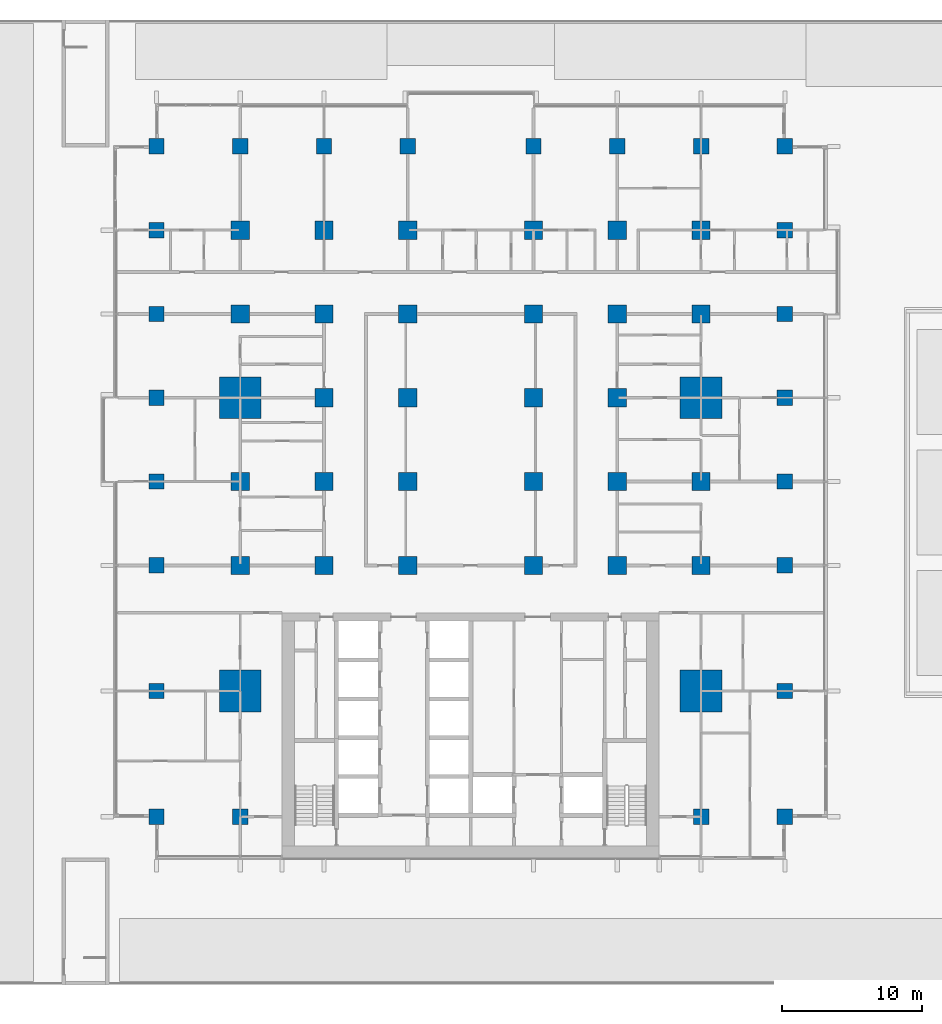
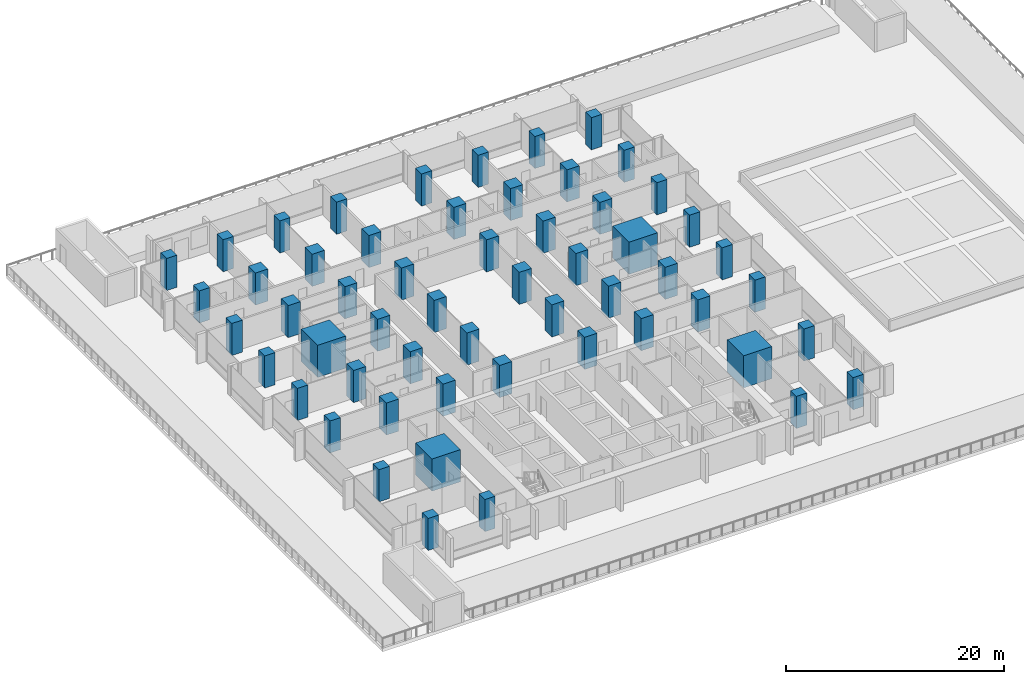
# One storey, part 1 of 25: 56 columns.
"""IFC4 building model written with IfcOpenShell, lengths in metres."""

from ifc_helpers import new_model, si_unit, direction, frame, origin, origin_2d, place, context, subcontext, project, spatial, rectangle, extrude, material, material_profile, profile_set, type_object, element, save


model = new_model("IFC4")

# Units and contexts
model_context = context("Model", 3, precision=1e-05, world=origin(), true_north=direction((0.0, 1.0)))
body_context = subcontext(model_context, "Body", "Model", "MODEL_VIEW")
ifc_project = project(units=[si_unit("LENGTHUNIT", "METRE"), si_unit("AREAUNIT", "SQUARE_METRE"), si_unit("VOLUMEUNIT", "CUBIC_METRE"), si_unit("PLANEANGLEUNIT", "RADIAN"), si_unit("MASSUNIT", "GRAM", prefix="KILO")], contexts=[model_context])

# Site, building, storey
site_placement = place(None, origin())
site = spatial("IfcSite", under=ifc_project, at=site_placement, CompositionType="ELEMENT")
building_placement = place(site_placement, origin())
building = spatial("IfcBuilding", under=site, at=building_placement, Name="Finial Court Residences", CompositionType="ELEMENT")
storey_placement = place(building_placement, frame((0.0, 0.0, 32.5)))
storey = spatial("IfcBuildingStorey", under=building, at=storey_placement, Name="L06", CompositionType="ELEMENT", Elevation=32.5)

# Columns
ifc_material = material(Name="Concrete C80/95", Category="concrete")
ifc_material_profile_1 = material_profile(ifc_material, rectangle(XDim=1.300048828125, YDim=1.300048828125, at=origin_2d()), Name="1300x1300")
ifc_profile_set_1 = profile_set([ifc_material_profile_1], Name="Concrete C80/95")
column_type_1 = type_object("IfcColumnType", Name="Interior column 1300x1300 Concrete C80/95", PredefinedType="COLUMN", material=ifc_profile_set_1)
for number, where, z_axis, x_axis, name in (
    (1, (-16.5, -4.5, 0.0), (0.0, 0.0, 1.0), (1.0, 0.0, 0.0), "S:COL:L06:C4"),
    (2, (-16.5, 1.5, 0.0), (0.0, 0.0, 1.0), (1.0, 0.0, 0.0), "S:COL:L06:C5"),
    (3, (-16.5, 13.5, 0.0), (0.0, 0.0, 1.0), (1.0, 0.0, 0.0), "S:COL:L06:C7"),
    (4, (-16.5, 19.5, 0.0), (0.0, 0.0, 1.0), (1.0, 0.0, 0.0), "S:COL:L06:C8"),
    (5, (-10.5, -4.5, 0.0), (0.0, 0.0, 1.0), (1.0, 0.0, 0.0), "S:COL:L06:D4"),
    (6, (-10.5, 1.5, 0.0), (0.0, 0.0, 1.0), (1.0, 0.0, 0.0), "S:COL:L06:D5"),
    (7, (-10.5, 7.5, 0.0), (0.0, 0.0, 1.0), (1.0, 0.0, 0.0), "S:COL:L06:D6"),
    (8, (-10.5, 13.5, 0.0), (0.0, 0.0, 1.0), (1.0, 0.0, 0.0), "S:COL:L06:D7"),
    (9, (-10.5, 19.5, 0.0), (0.0, 0.0, 1.0), (1.0, 0.0, 0.0), "S:COL:L06:D8"),
    (10, (-4.5, -4.5, 0.0), (0.0, 0.0, 1.0), (1.0, 0.0, 0.0), "S:COL:L06:E4"),
    (11, (-4.5, 1.5, 0.0), (0.0, 0.0, 1.0), (1.0, 0.0, 0.0), "S:COL:L06:E5"),
    (12, (-4.5, 7.5, 0.0), (0.0, 0.0, 1.0), (1.0, 0.0, 0.0), "S:COL:L06:E6"),
    (13, (-4.5, 13.5, 0.0), (0.0, 0.0, 1.0), (1.0, 0.0, 0.0), "S:COL:L06:E7"),
    (14, (-4.5, 19.5, 0.0), (0.0, 0.0, 1.0), (1.0, 0.0, 0.0), "S:COL:L06:E8"),
    (15, (4.5, -4.5, 0.0), (0.0, 0.0, 1.0), (1.0, 0.0, 0.0), "S:COL:L06:F4"),
    (16, (4.5, 1.5, 0.0), (0.0, 0.0, 1.0), (1.0, 0.0, 0.0), "S:COL:L06:F5"),
    (17, (4.5, 7.5, 0.0), (0.0, 0.0, 1.0), (1.0, 0.0, 0.0), "S:COL:L06:F6"),
    (18, (4.5, 13.5, 0.0), (0.0, 0.0, 1.0), (1.0, 0.0, 0.0), "S:COL:L06:F7"),
    (19, (4.5, 19.5, 0.0), (0.0, 0.0, 1.0), (1.0, 0.0, 0.0), "S:COL:L06:F8"),
    (20, (10.5, -4.5, 0.0), (0.0, 0.0, 1.0), (1.0, 0.0, 0.0), "S:COL:L06:G4"),
    (21, (10.5, 1.5, 0.0), (0.0, 0.0, 1.0), (1.0, 0.0, 0.0), "S:COL:L06:G5"),
    (22, (10.5, 7.5, 0.0), (0.0, 0.0, 1.0), (1.0, 0.0, 0.0), "S:COL:L06:G6"),
    (23, (10.5, 13.5, 0.0), (0.0, 0.0, 1.0), (1.0, 0.0, 0.0), "S:COL:L06:G7"),
    (24, (10.5, 19.5, 0.0), (0.0, 0.0, 1.0), (1.0, 0.0, 0.0), "S:COL:L06:G8"),
    (25, (16.5, -4.5, 0.0), (0.0, 0.0, 1.0), (1.0, 0.0, 0.0), "S:COL:L06:H4"),
    (26, (16.5, 1.5, 0.0), (0.0, 0.0, 1.0), (1.0, 0.0, 0.0), "S:COL:L06:H5"),
    (27, (16.5, 13.5, 0.0), (0.0, 0.0, 1.0), (1.0, 0.0, 0.0), "S:COL:L06:H7"),
    (28, (16.5, 19.5, 0.0), (0.0, 0.0, 1.0), (1.0, 0.0, 0.0), "S:COL:L06:H8"),
):
    element("IfcColumn", number, at=place(storey_placement, frame(where, z_axis=z_axis, x_axis=x_axis)), inside=storey, type_object=column_type_1, Name=name, PredefinedType="COLUMN", context=body_context, shape_type="SweptSolid", body=[
        extrude(rectangle(XDim=1.300048828125, YDim=1.300048828125, at=origin_2d()), origin(), (0.0, 0.0, 1.0), 3.60009765625),
    ])
ifc_material_profile_2 = material_profile(ifc_material, rectangle(XDim=3.0, YDim=3.0, at=origin_2d()), Name="3000x3000")
ifc_profile_set_2 = profile_set([ifc_material_profile_2], Name="Concrete C80/95")
column_type_2 = type_object("IfcColumnType", Name="Mega column 3000x3000 Concrete C80/95", PredefinedType="COLUMN", material=ifc_profile_set_2)
for number, where, z_axis, x_axis, name in (
    (29, (-16.5, -13.5, 0.0), (0.0, 0.0, 1.0), (1.0, 0.0, 0.0), "S:COL:L06:C3"),
    (30, (-16.5, 7.5, 0.0), (0.0, 0.0, 1.0), (1.0, 0.0, 0.0), "S:COL:L06:C6"),
    (31, (16.5, -13.5, 0.0), (0.0, 0.0, 1.0), (1.0, 0.0, 0.0), "S:COL:L06:H3"),
    (32, (16.5, 7.5, 0.0), (0.0, 0.0, 1.0), (1.0, 0.0, 0.0), "S:COL:L06:H6"),
):
    element("IfcColumn", number, at=place(storey_placement, frame(where, z_axis=z_axis, x_axis=x_axis)), inside=storey, type_object=column_type_2, Name=name, PredefinedType="COLUMN", context=body_context, shape_type="SweptSolid", body=[
        extrude(rectangle(XDim=3.0, YDim=3.0, at=origin_2d()), origin(), (0.0, 0.0, 1.0), 3.60009765625),
    ])
ifc_material_profile_3 = material_profile(ifc_material, rectangle(XDim=1.10009765625, YDim=1.10009765625, at=origin_2d()), Name="1100x1100")
ifc_profile_set_3 = profile_set([ifc_material_profile_3], Name="Concrete C80/95")
column_type_3 = type_object("IfcColumnType", Name="Perimeter column 1100x1100 Concrete C80/95", PredefinedType="COLUMN", material=ifc_profile_set_3)
for number, where, z_axis, x_axis, name in (
    (33, (-22.5, -22.5, 0.0), (0.0, 0.0, 1.0), (1.0, 0.0, 0.0), "S:COL:L06:B2"),
    (34, (-22.5, -13.5, 0.0), (0.0, 0.0, 1.0), (1.0, 0.0, 0.0), "S:COL:L06:B3"),
    (35, (-22.5, -4.5, 0.0), (0.0, 0.0, 1.0), (1.0, 0.0, 0.0), "S:COL:L06:B4"),
    (36, (-22.5, 1.5, 0.0), (0.0, 0.0, 1.0), (1.0, 0.0, 0.0), "S:COL:L06:B5"),
    (37, (-22.5, 7.5, 0.0), (0.0, 0.0, 1.0), (1.0, 0.0, 0.0), "S:COL:L06:B6"),
    (38, (-22.5, 13.5, 0.0), (0.0, 0.0, 1.0), (1.0, 0.0, 0.0), "S:COL:L06:B7"),
    (39, (-22.5, 19.5, 0.0), (0.0, 0.0, 1.0), (1.0, 0.0, 0.0), "S:COL:L06:B8"),
    (40, (-22.5, 25.5, 0.0), (0.0, 0.0, 1.0), (1.0, 0.0, 0.0), "S:COL:L06:B9"),
    (41, (-16.5, -22.5, 0.0), (0.0, 0.0, 1.0), (1.0, 0.0, 0.0), "S:COL:L06:C2"),
    (42, (-16.5, 25.5, 0.0), (0.0, 0.0, 1.0), (1.0, 0.0, 0.0), "S:COL:L06:C9"),
    (43, (-10.5, 25.5, 0.0), (0.0, 0.0, 1.0), (1.0, 0.0, 0.0), "S:COL:L06:D9"),
    (44, (-4.5, 25.5, 0.0), (0.0, 0.0, 1.0), (1.0, 0.0, 0.0), "S:COL:L06:E9"),
    (45, (4.5, 25.5, 0.0), (0.0, 0.0, 1.0), (1.0, 0.0, 0.0), "S:COL:L06:F9"),
    (46, (10.5, 25.5, 0.0), (0.0, 0.0, 1.0), (1.0, 0.0, 0.0), "S:COL:L06:G9"),
    (47, (16.5, -22.5, 0.0), (0.0, 0.0, 1.0), (1.0, 0.0, 0.0), "S:COL:L06:H2"),
    (48, (16.5, 25.5, 0.0), (0.0, 0.0, 1.0), (1.0, 0.0, 0.0), "S:COL:L06:H9"),
    (49, (22.5, -22.5, 0.0), (0.0, 0.0, 1.0), (1.0, 0.0, 0.0), "S:COL:L06:I2"),
    (50, (22.5, -13.5, 0.0), (0.0, 0.0, 1.0), (1.0, 0.0, 0.0), "S:COL:L06:I3"),
    (51, (22.5, -4.5, 0.0), (0.0, 0.0, 1.0), (1.0, 0.0, 0.0), "S:COL:L06:I4"),
    (52, (22.5, 1.5, 0.0), (0.0, 0.0, 1.0), (1.0, 0.0, 0.0), "S:COL:L06:I5"),
    (53, (22.5, 7.5, 0.0), (0.0, 0.0, 1.0), (1.0, 0.0, 0.0), "S:COL:L06:I6"),
    (54, (22.5, 13.5, 0.0), (0.0, 0.0, 1.0), (1.0, 0.0, 0.0), "S:COL:L06:I7"),
    (55, (22.5, 19.5, 0.0), (0.0, 0.0, 1.0), (1.0, 0.0, 0.0), "S:COL:L06:I8"),
    (56, (22.5, 25.5, 0.0), (0.0, 0.0, 1.0), (1.0, 0.0, 0.0), "S:COL:L06:I9"),
):
    element("IfcColumn", number, at=place(storey_placement, frame(where, z_axis=z_axis, x_axis=x_axis)), inside=storey, type_object=column_type_3, Name=name, PredefinedType="COLUMN", context=body_context, shape_type="SweptSolid", body=[
        extrude(rectangle(XDim=1.10009765625, YDim=1.10009765625, at=origin_2d()), origin(), (0.0, 0.0, 1.0), 3.60009765625),
    ])

save(model, "model.ifc")
